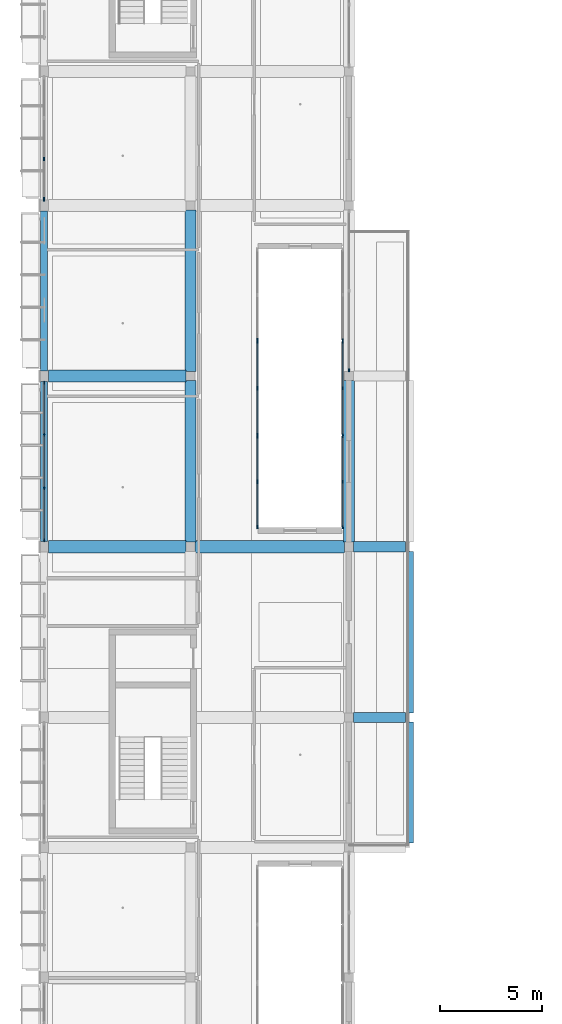
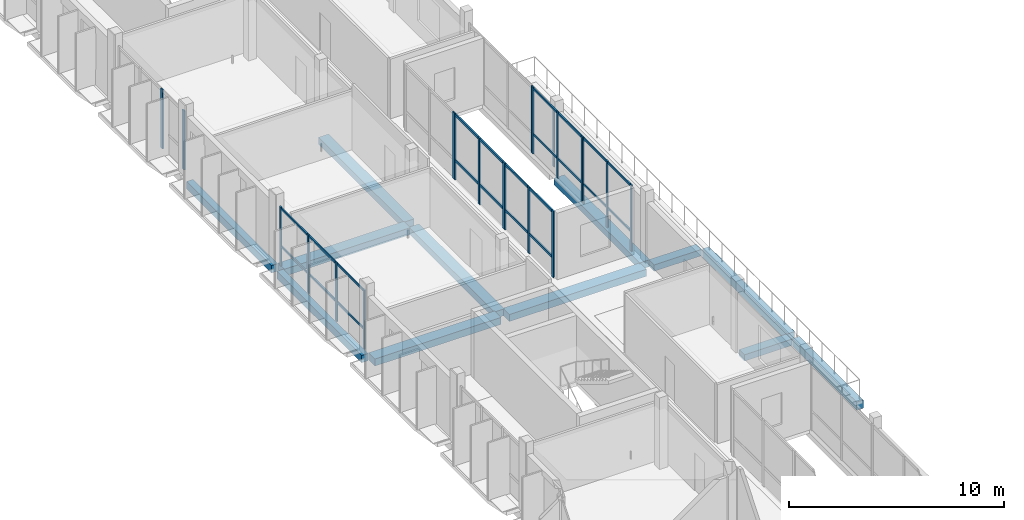
# One storey, part 5 of 48: 31 members, 12 beams, 9 elements without a shape of their own.
"""IFC4 building model written with IfcOpenShell, lengths in metres."""

from ifc_helpers import new_model, si_unit, derived_unit, direction, frame, origin, origin_2d, place, context, subcontext, project, spatial, rectangle, extrude, material, material_profile, profile_set, type_object, element, aggregate, save


model = new_model("IFC4")

# Units and contexts
model_context = context("Model", 3, precision=1e-05, world=origin(), true_north=direction((0.0, 1.0)))
body_context = subcontext(model_context, "Body", "Model", "MODEL_VIEW")
ifc_project = project(units=[si_unit("LENGTHUNIT", "METRE"), si_unit("AREAUNIT", "SQUARE_METRE"), si_unit("VOLUMEUNIT", "CUBIC_METRE"), si_unit("PLANEANGLEUNIT", "RADIAN"), si_unit("MASSUNIT", "GRAM", prefix="KILO"), derived_unit("THERMALTRANSMITTANCEUNIT", [(si_unit("POWERUNIT", "WATT"), 1), (si_unit("LENGTHUNIT", "METRE"), -2), (si_unit("THERMODYNAMICTEMPERATUREUNIT", "KELVIN"), -1)])], contexts=[model_context])

# Site, building, storey
site_placement = place(None, origin())
site = spatial("IfcSite", under=ifc_project, at=site_placement, CompositionType="ELEMENT")
building_placement = place(site_placement, origin())
building = spatial("IfcBuilding", under=site, at=building_placement, Name="Braskholm Square Health Centre", CompositionType="ELEMENT")
storey_placement = place(building_placement, frame((0.0, 0.0, 17.550048828125)))
storey = spatial("IfcBuildingStorey", under=building, at=storey_placement, Name="L05", CompositionType="ELEMENT", Elevation=17.550048828125)

# Curtain wall, members
ifc_material_1 = material(Name="Low-E triple insulating glass (VLT 0.64)", Category="glass")
curtain_wall_type_1 = type_object("IfcCurtainWallType", Name="UnitisedCurtainWall6200x3650", PredefinedType="NOTDEFINED", material=ifc_material_1)
curtain_wall_1_placement = place(storey_placement, origin())
curtain_wall_1 = element("IfcCurtainWall", 1, at=curtain_wall_1_placement, inside=storey, type_object=curtain_wall_type_1, Name="West Outer unitised curtain wall CW-L05-0034", PredefinedType="NOTDEFINED")
ifc_material_2 = material(Name="Architectural bronze anodised aluminium", Category="aluminium")
ifc_material_profile_1 = material_profile(ifc_material_2, rectangle(XDim=0.06494140625, YDim=0.14990234375, at=origin_2d()), Name="ALU-65X150")
ifc_profile_set_1 = profile_set([ifc_material_profile_1], Name="Architectural bronze anodised aluminium")
member_type_1 = type_object("IfcMemberType", Name="CurtainWallMullion65x150", PredefinedType="MULLION", material=ifc_profile_set_1)
member_1_placement = place(storey_placement, frame((4.199951171875, 71.8828125, 0.0), z_axis=(0.0, 0.0, 1.0), x_axis=(1.0, 0.0, 0.0)))
member_1 = element("IfcMember", 2, at=member_1_placement, type_object=member_type_1, Name="CW-L05-0034 vertical mullion 1", PredefinedType="MULLION", context=body_context, shape_type="SweptSolid", body=[
    extrude(rectangle(XDim=0.06494140625, YDim=0.14990234375, at=origin_2d()), origin(), (0.0, 0.0, 1.0), 3.349853515625),
])
member_2_placement = place(storey_placement, frame((4.199951171875, 69.31005859375, 0.0), z_axis=(0.0, 0.0, 1.0), x_axis=(1.0, 0.0, 0.0)))
member_2 = element("IfcMember", 3, at=member_2_placement, type_object=member_type_1, Name="CW-L05-0034 vertical mullion 2", PredefinedType="MULLION", context=body_context, shape_type="SweptSolid", body=[
    extrude(rectangle(XDim=0.06494140625, YDim=0.14990234375, at=origin_2d()), origin(), (0.0, 0.0, 1.0), 3.349853515625),
])
member_3_placement = place(storey_placement, frame((4.199951171875, 66.68994140625, 0.0), z_axis=(0.0, 0.0, 1.0), x_axis=(1.0, 0.0, 0.0)))
member_3 = element("IfcMember", 4, at=member_3_placement, type_object=member_type_1, Name="CW-L05-0034 vertical mullion 3", PredefinedType="MULLION", context=body_context, shape_type="SweptSolid", body=[
    extrude(rectangle(XDim=0.06494140625, YDim=0.14990234375, at=origin_2d()), origin(), (0.0, 0.0, 1.0), 3.349853515625),
])
member_4_placement = place(storey_placement, frame((4.199951171875, 64.1171875, 0.0), z_axis=(0.0, 0.0, 1.0), x_axis=(1.0, 0.0, 0.0)))
member_4 = element("IfcMember", 5, at=member_4_placement, type_object=member_type_1, Name="CW-L05-0034 vertical mullion 4", PredefinedType="MULLION", context=body_context, shape_type="SweptSolid", body=[
    extrude(rectangle(XDim=0.06494140625, YDim=0.14990234375, at=origin_2d()), origin(), (0.0, 0.0, 1.0), 3.349853515625),
])

# Curtain wall, member
curtain_wall_2_placement = place(storey_placement, origin())
curtain_wall_2 = element("IfcCurtainWall", 6, at=curtain_wall_2_placement, inside=storey, type_object=curtain_wall_type_1, Name="West Valley unitised curtain wall CW-L05-0106", PredefinedType="NOTDEFINED")
member_5_placement = place(storey_placement, frame((19.199951171875, 72.487548828125, 0.0), z_axis=(0.0, 0.0, 1.0), x_axis=(1.0, 0.0, 0.0)))
member_5 = element("IfcMember", 7, at=member_5_placement, type_object=member_type_1, Name="CW-L05-0106 vertical mullion 1", PredefinedType="MULLION", context=body_context, shape_type="SweptSolid", body=[
    extrude(rectangle(XDim=0.06494140625, YDim=0.14990234375, at=origin_2d()), origin(), (0.0, 0.0, 1.0), 3.389892578125),
])
aggregate(curtain_wall_2, [member_5])

# Curtain wall, members
curtain_wall_type_2 = type_object("IfcCurtainWallType", Name="UnitisedCurtainWall4800x3800", PredefinedType="NOTDEFINED", material=ifc_material_1)
curtain_wall_3_placement = place(storey_placement, origin())
curtain_wall_3 = element("IfcCurtainWall", 8, at=curtain_wall_3_placement, inside=storey, type_object=curtain_wall_type_2, Name="WC2 Court E unitised curtain wall CW-L05-0310", PredefinedType="NOTDEFINED")
member_6_placement = place(storey_placement, frame((18.89990234375, 69.23486328125, 0.0), z_axis=(0.0, 0.0, 1.0), x_axis=(1.0, 0.0, 0.0)))
member_6 = element("IfcMember", 9, at=member_6_placement, type_object=member_type_1, Name="CW-L05-0310 vertical mullion 1", PredefinedType="MULLION", context=body_context, shape_type="SweptSolid", body=[
    extrude(rectangle(XDim=0.06494140625, YDim=0.14990234375, at=origin_2d()), origin(), (0.0, 0.0, 1.0), 3.77001953125),
])
member_7_placement = place(storey_placement, frame((18.89990234375, 67.0009765625, 0.0), z_axis=(0.0, 0.0, 1.0), x_axis=(1.0, 0.0, 0.0)))
member_7 = element("IfcMember", 10, at=member_7_placement, type_object=member_type_1, Name="CW-L05-0310 vertical mullion 2", PredefinedType="MULLION", context=body_context, shape_type="SweptSolid", body=[
    extrude(rectangle(XDim=0.06494140625, YDim=0.14990234375, at=origin_2d()), origin(), (0.0, 0.0, 1.0), 3.77001953125),
])
member_8_placement = place(storey_placement, frame((18.89990234375, 64.76708984375, 0.0), z_axis=(0.0, 0.0, 1.0), x_axis=(1.0, 0.0, 0.0)))
member_8 = element("IfcMember", 11, at=member_8_placement, type_object=member_type_1, Name="CW-L05-0310 vertical mullion 3", PredefinedType="MULLION", context=body_context, shape_type="SweptSolid", body=[
    extrude(rectangle(XDim=0.06494140625, YDim=0.14990234375, at=origin_2d()), origin(), (0.0, 0.0, 1.0), 3.77001953125),
])

curtain_wall_4_placement = place(storey_placement, origin())
curtain_wall_4 = element("IfcCurtainWall", 12, at=curtain_wall_4_placement, inside=storey, type_object=curtain_wall_type_2, Name="WC2 Court E unitised curtain wall CW-L05-0312", PredefinedType="NOTDEFINED")
member_9_placement = place(storey_placement, frame((18.89990234375, 73.900146484375, 0.0), z_axis=(0.0, 0.0, 1.0), x_axis=(1.0, 0.0, 0.0)))
member_9 = element("IfcMember", 13, at=member_9_placement, type_object=member_type_1, Name="CW-L05-0312 vertical mullion 1", PredefinedType="MULLION", context=body_context, shape_type="SweptSolid", body=[
    extrude(rectangle(XDim=0.06494140625, YDim=0.14990234375, at=origin_2d()), origin(), (0.0, 0.0, 1.0), 3.77001953125),
])
member_10_placement = place(storey_placement, frame((18.89990234375, 71.60009765625, 0.0), z_axis=(0.0, 0.0, 1.0), x_axis=(1.0, 0.0, 0.0)))
member_10 = element("IfcMember", 14, at=member_10_placement, type_object=member_type_1, Name="CW-L05-0312 vertical mullion 2", PredefinedType="MULLION", context=body_context, shape_type="SweptSolid", body=[
    extrude(rectangle(XDim=0.06494140625, YDim=0.14990234375, at=origin_2d()), origin(), (0.0, 0.0, 1.0), 3.77001953125),
])
member_11_placement = place(storey_placement, frame((18.89990234375, 69.2998046875, 0.0), z_axis=(0.0, 0.0, 1.0), x_axis=(1.0, 0.0, 0.0)))
member_11 = element("IfcMember", 15, at=member_11_placement, type_object=member_type_1, Name="CW-L05-0312 vertical mullion 3", PredefinedType="MULLION", context=body_context, shape_type="SweptSolid", body=[
    extrude(rectangle(XDim=0.06494140625, YDim=0.14990234375, at=origin_2d()), origin(), (0.0, 0.0, 1.0), 3.77001953125),
])

# Curtain wall, member
curtain_wall_5_placement = place(storey_placement, origin())
curtain_wall_5 = element("IfcCurtainWall", 16, at=curtain_wall_5_placement, inside=storey, type_object=curtain_wall_type_2, Name="WC2 Court E unitised curtain wall CW-L05-0314", PredefinedType="NOTDEFINED")
member_12_placement = place(storey_placement, frame((18.89990234375, 73.965087890625, 0.0), z_axis=(0.0, 0.0, 1.0), x_axis=(1.0, 0.0, 0.0)))
member_12 = element("IfcMember", 17, at=member_12_placement, type_object=member_type_1, Name="CW-L05-0314 vertical mullion 3", PredefinedType="MULLION", context=body_context, shape_type="SweptSolid", body=[
    extrude(rectangle(XDim=0.06494140625, YDim=0.14990234375, at=origin_2d()), origin(), (0.0, 0.0, 1.0), 3.77001953125),
])
aggregate(curtain_wall_5, [member_12])

# Curtain wall, members
curtain_wall_6_placement = place(storey_placement, origin())
curtain_wall_6 = element("IfcCurtainWall", 18, at=curtain_wall_6_placement, inside=storey, type_object=curtain_wall_type_1, Name="West Outer unitised curtain wall CW-L05-0035", PredefinedType="NOTDEFINED")
ifc_material_profile_2 = material_profile(ifc_material_2, rectangle(XDim=0.074951171875, YDim=0.179931640625, at=origin_2d()), Name="ALU-75X180")
ifc_profile_set_2 = profile_set([ifc_material_profile_2], Name="Architectural bronze anodised aluminium")
member_type_2 = type_object("IfcMemberType", Name="CurtainWallMullion75x180", PredefinedType="MULLION", material=ifc_profile_set_2)
member_13_placement = place(storey_placement, frame((4.199951171875, 82.889892578125, 0.0), z_axis=(0.0, 0.0, 1.0), x_axis=(1.0, 0.0, 0.0)))
member_13 = element("IfcMember", 19, at=member_13_placement, type_object=member_type_2, Name="CW-L05-0035 vertical mullion 3", PredefinedType="MULLION", context=body_context, shape_type="SweptSolid", body=[
    extrude(rectangle(XDim=0.074951171875, YDim=0.179931640625, at=origin_2d()), origin(), (0.0, 0.0, 1.0), 3.349853515625),
])
member_14_placement = place(storey_placement, frame((4.199951171875, 80.906494140625, 0.0), z_axis=(0.0, 0.0, 1.0), x_axis=(1.0, 0.0, 0.0)))
member_14 = element("IfcMember", 20, at=member_14_placement, type_object=member_type_2, Name="CW-L05-0035 vertical mullion 4", PredefinedType="MULLION", context=body_context, shape_type="SweptSolid", body=[
    extrude(rectangle(XDim=0.074951171875, YDim=0.179931640625, at=origin_2d()), origin(), (0.0, 0.0, 1.0), 3.349853515625),
])
aggregate(curtain_wall_6, [member_13, member_14])

curtain_wall_7_placement = place(storey_placement, origin())
curtain_wall_7 = element("IfcCurtainWall", 21, at=curtain_wall_7_placement, inside=storey, type_object=curtain_wall_type_2, Name="WC2 Court W unitised curtain wall CW-L05-0309", PredefinedType="NOTDEFINED")
member_15_placement = place(storey_placement, frame((14.699951171875, 64.76708984375, 0.0), z_axis=(0.0, 0.0, 1.0), x_axis=(1.0, 0.0, 0.0)))
member_15 = element("IfcMember", 22, at=member_15_placement, type_object=member_type_2, Name="CW-L05-0309 vertical mullion 1", PredefinedType="MULLION", context=body_context, shape_type="SweptSolid", body=[
    extrude(rectangle(XDim=0.074951171875, YDim=0.179931640625, at=origin_2d()), origin(), (0.0, 0.0, 1.0), 3.77001953125),
])
member_16_placement = place(storey_placement, frame((14.699951171875, 67.0009765625, 0.0), z_axis=(0.0, 0.0, 1.0), x_axis=(1.0, 0.0, 0.0)))
member_16 = element("IfcMember", 23, at=member_16_placement, type_object=member_type_2, Name="CW-L05-0309 vertical mullion 2", PredefinedType="MULLION", context=body_context, shape_type="SweptSolid", body=[
    extrude(rectangle(XDim=0.074951171875, YDim=0.179931640625, at=origin_2d()), origin(), (0.0, 0.0, 1.0), 3.77001953125),
])
member_17_placement = place(storey_placement, frame((14.699951171875, 69.23486328125, 0.0), z_axis=(0.0, 0.0, 1.0), x_axis=(1.0, 0.0, 0.0)))
member_17 = element("IfcMember", 24, at=member_17_placement, type_object=member_type_2, Name="CW-L05-0309 vertical mullion 3", PredefinedType="MULLION", context=body_context, shape_type="SweptSolid", body=[
    extrude(rectangle(XDim=0.074951171875, YDim=0.179931640625, at=origin_2d()), origin(), (0.0, 0.0, 1.0), 3.77001953125),
])

curtain_wall_8_placement = place(storey_placement, origin())
curtain_wall_8 = element("IfcCurtainWall", 25, at=curtain_wall_8_placement, inside=storey, type_object=curtain_wall_type_2, Name="WC2 Court W unitised curtain wall CW-L05-0311", PredefinedType="NOTDEFINED")
member_18_placement = place(storey_placement, frame((14.699951171875, 69.2998046875, 0.0), z_axis=(0.0, 0.0, 1.0), x_axis=(1.0, 0.0, 0.0)))
member_18 = element("IfcMember", 26, at=member_18_placement, type_object=member_type_2, Name="CW-L05-0311 vertical mullion 1", PredefinedType="MULLION", context=body_context, shape_type="SweptSolid", body=[
    extrude(rectangle(XDim=0.074951171875, YDim=0.179931640625, at=origin_2d()), origin(), (0.0, 0.0, 1.0), 3.77001953125),
])
member_19_placement = place(storey_placement, frame((14.699951171875, 71.60009765625, 0.0), z_axis=(0.0, 0.0, 1.0), x_axis=(1.0, 0.0, 0.0)))
member_19 = element("IfcMember", 27, at=member_19_placement, type_object=member_type_2, Name="CW-L05-0311 vertical mullion 2", PredefinedType="MULLION", context=body_context, shape_type="SweptSolid", body=[
    extrude(rectangle(XDim=0.074951171875, YDim=0.179931640625, at=origin_2d()), origin(), (0.0, 0.0, 1.0), 3.77001953125),
])
member_20_placement = place(storey_placement, frame((14.699951171875, 73.900146484375, 0.0), z_axis=(0.0, 0.0, 1.0), x_axis=(1.0, 0.0, 0.0)))
member_20 = element("IfcMember", 28, at=member_20_placement, type_object=member_type_2, Name="CW-L05-0311 vertical mullion 3", PredefinedType="MULLION", context=body_context, shape_type="SweptSolid", body=[
    extrude(rectangle(XDim=0.074951171875, YDim=0.179931640625, at=origin_2d()), origin(), (0.0, 0.0, 1.0), 3.77001953125),
])

# Curtain wall, member
curtain_wall_9_placement = place(storey_placement, origin())
curtain_wall_9 = element("IfcCurtainWall", 29, at=curtain_wall_9_placement, inside=storey, type_object=curtain_wall_type_2, Name="WC2 Court W unitised curtain wall CW-L05-0313", PredefinedType="NOTDEFINED")
member_21_placement = place(storey_placement, frame((14.699951171875, 73.965087890625, 0.0), z_axis=(0.0, 0.0, 1.0), x_axis=(1.0, 0.0, 0.0)))
member_21 = element("IfcMember", 30, at=member_21_placement, type_object=member_type_2, Name="CW-L05-0313 vertical mullion 1", PredefinedType="MULLION", context=body_context, shape_type="SweptSolid", body=[
    extrude(rectangle(XDim=0.074951171875, YDim=0.179931640625, at=origin_2d()), origin(), (0.0, 0.0, 1.0), 3.77001953125),
])
aggregate(curtain_wall_9, [member_21])

# Member
ifc_material_profile_3 = material_profile(ifc_material_2, rectangle(XDim=0.06494140625, YDim=0.1201171875, at=origin_2d()), Name="ALU-65X120")
ifc_profile_set_3 = profile_set([ifc_material_profile_3], Name="Architectural bronze anodised aluminium")
member_type_3 = type_object("IfcMemberType", Name="CurtainWallTransom65x120", PredefinedType="USERDEFINED", material=ifc_profile_set_3)
member_22_placement = place(storey_placement, frame((4.199951171875, 71.885009765625, 1.119873046875), z_axis=(0.0, -1.0, 0.0), x_axis=(1.0, 0.0, 0.0)))
member_22 = element("IfcMember", 31, at=member_22_placement, type_object=member_type_3, Name="CW-L05-0034 horizontal transom 1", ObjectType="TRANSOM", PredefinedType="USERDEFINED", context=body_context, shape_type="SweptSolid", body=[
    extrude(rectangle(XDim=0.06494140625, YDim=0.1201171875, at=origin_2d()), origin(), (0.0, 0.0, 1.0), 7.77001953125),
])

member_23_placement = place(storey_placement, frame((4.199951171875, 71.885009765625, 3.280029296875), z_axis=(0.0, -1.0, 0.0), x_axis=(1.0, 0.0, 0.0)))
member_23 = element("IfcMember", 32, at=member_23_placement, type_object=member_type_3, Name="CW-L05-0034 horizontal transom 2", ObjectType="TRANSOM", PredefinedType="USERDEFINED", context=body_context, shape_type="SweptSolid", body=[
    extrude(rectangle(XDim=0.06494140625, YDim=0.1201171875, at=origin_2d()), origin(), (0.0, 0.0, 1.0), 7.77001953125),
])

aggregate(curtain_wall_1, [member_1, member_2, member_3, member_4, member_22, member_23])

member_24_placement = place(storey_placement, frame((18.89990234375, 69.217041015625, 1.119873046875), z_axis=(0.0, -1.0, 0.0), x_axis=(1.0, 0.0, 0.0)))
member_24 = element("IfcMember", 33, at=member_24_placement, type_object=member_type_3, Name="CW-L05-0310 horizontal transom 1", ObjectType="TRANSOM", PredefinedType="USERDEFINED", context=body_context, shape_type="SweptSolid", body=[
    extrude(rectangle(XDim=0.06494140625, YDim=0.1201171875, at=origin_2d()), origin(), (0.0, 0.0, 1.0), 4.43212890625),
])

member_25_placement = place(storey_placement, frame((18.89990234375, 69.217041015625, 3.699951171875), z_axis=(0.0, -1.0, 0.0), x_axis=(1.0, 0.0, 0.0)))
member_25 = element("IfcMember", 34, at=member_25_placement, type_object=member_type_3, Name="CW-L05-0310 horizontal transom 2", ObjectType="TRANSOM", PredefinedType="USERDEFINED", context=body_context, shape_type="SweptSolid", body=[
    extrude(rectangle(XDim=0.06494140625, YDim=0.1201171875, at=origin_2d()), origin(), (0.0, 0.0, 1.0), 4.43212890625),
])

aggregate(curtain_wall_3, [member_6, member_7, member_8, member_24, member_25])

member_26_placement = place(storey_placement, frame((18.89990234375, 73.883056640625, 1.119873046875), z_axis=(0.0, -1.0, 0.0), x_axis=(1.0, 0.0, 0.0)))
member_26 = element("IfcMember", 35, at=member_26_placement, type_object=member_type_3, Name="CW-L05-0312 horizontal transom 1", ObjectType="TRANSOM", PredefinedType="USERDEFINED", context=body_context, shape_type="SweptSolid", body=[
    extrude(rectangle(XDim=0.06494140625, YDim=0.1201171875, at=origin_2d()), origin(), (0.0, 0.0, 1.0), 4.566162109375),
])

member_27_placement = place(storey_placement, frame((18.89990234375, 73.883056640625, 3.699951171875), z_axis=(0.0, -1.0, 0.0), x_axis=(1.0, 0.0, 0.0)))
member_27 = element("IfcMember", 36, at=member_27_placement, type_object=member_type_3, Name="CW-L05-0312 horizontal transom 2", ObjectType="TRANSOM", PredefinedType="USERDEFINED", context=body_context, shape_type="SweptSolid", body=[
    extrude(rectangle(XDim=0.06494140625, YDim=0.1201171875, at=origin_2d()), origin(), (0.0, 0.0, 1.0), 4.566162109375),
])

aggregate(curtain_wall_4, [member_9, member_10, member_11, member_26, member_27])

ifc_material_profile_4 = material_profile(ifc_material_2, rectangle(XDim=0.074951171875, YDim=0.139892578125, at=origin_2d()), Name="ALU-75X140")
ifc_profile_set_4 = profile_set([ifc_material_profile_4], Name="Architectural bronze anodised aluminium")
member_type_4 = type_object("IfcMemberType", Name="CurtainWallTransom75x140", PredefinedType="USERDEFINED", material=ifc_profile_set_4)
member_28_placement = place(storey_placement, frame((14.699951171875, 64.784912109375, 1.119873046875), z_axis=(0.0, 1.0, 0.0), x_axis=(-1.0, 0.0, 0.0)))
member_28 = element("IfcMember", 37, at=member_28_placement, type_object=member_type_4, Name="CW-L05-0309 horizontal transom 1", ObjectType="TRANSOM", PredefinedType="USERDEFINED", context=body_context, shape_type="SweptSolid", body=[
    extrude(rectangle(XDim=0.074951171875, YDim=0.139892578125, at=origin_2d()), origin(), (0.0, 0.0, 1.0), 4.43212890625),
])

member_29_placement = place(storey_placement, frame((14.699951171875, 64.784912109375, 3.699951171875), z_axis=(0.0, 1.0, 0.0), x_axis=(-1.0, 0.0, 0.0)))
member_29 = element("IfcMember", 38, at=member_29_placement, type_object=member_type_4, Name="CW-L05-0309 horizontal transom 2", ObjectType="TRANSOM", PredefinedType="USERDEFINED", context=body_context, shape_type="SweptSolid", body=[
    extrude(rectangle(XDim=0.074951171875, YDim=0.139892578125, at=origin_2d()), origin(), (0.0, 0.0, 1.0), 4.43212890625),
])

aggregate(curtain_wall_7, [member_15, member_16, member_17, member_28, member_29])

member_30_placement = place(storey_placement, frame((14.699951171875, 69.31689453125, 1.119873046875), z_axis=(0.0, 1.0, 0.0), x_axis=(-1.0, 0.0, 0.0)))
member_30 = element("IfcMember", 39, at=member_30_placement, type_object=member_type_4, Name="CW-L05-0311 horizontal transom 1", ObjectType="TRANSOM", PredefinedType="USERDEFINED", context=body_context, shape_type="SweptSolid", body=[
    extrude(rectangle(XDim=0.074951171875, YDim=0.139892578125, at=origin_2d()), origin(), (0.0, 0.0, 1.0), 4.566162109375),
])

member_31_placement = place(storey_placement, frame((14.699951171875, 69.31689453125, 3.699951171875), z_axis=(0.0, 1.0, 0.0), x_axis=(-1.0, 0.0, 0.0)))
member_31 = element("IfcMember", 40, at=member_31_placement, type_object=member_type_4, Name="CW-L05-0311 horizontal transom 2", ObjectType="TRANSOM", PredefinedType="USERDEFINED", context=body_context, shape_type="SweptSolid", body=[
    extrude(rectangle(XDim=0.074951171875, YDim=0.139892578125, at=origin_2d()), origin(), (0.0, 0.0, 1.0), 4.566162109375),
])

aggregate(curtain_wall_8, [member_18, member_19, member_20, member_30, member_31])

# Beams
ifc_material_3 = material(Name="Concrete C35/45 (f'c = 35 MPa)", Category="concrete")
ifc_material_profile_5 = material_profile(ifc_material_3, rectangle(XDim=0.5, YDim=0.360107421875, at=origin_2d()), Name="RCB-500X360")
ifc_profile_set_5 = profile_set([ifc_material_profile_5], Name="Concrete C35/45 (f'c = 35 MPa)")
beam_type_1 = type_object("IfcBeamType", Name="PrimaryBandBeam500x360", PredefinedType="BEAM", material=ifc_profile_set_5)
for number, where, z_axis, x_axis, name in (
    (41, (19.425048828125, 55.39990234375, -0.429931640625), (1.0, 0.0, 0.0), (0.0, 1.0, 0.0), "Beam 3-4/J L05"),
    (42, (19.425048828125, 63.800048828125, -0.429931640625), (1.0, 0.0, 0.0), (0.0, 1.0, 0.0), "Beam 3-4/K L05"),
):
    element("IfcBeam", number, at=place(storey_placement, frame(where, z_axis=z_axis, x_axis=x_axis)), inside=storey, type_object=beam_type_1, Name=name, PredefinedType="BEAM", context=body_context, shape_type="SweptSolid", body=[
        extrude(rectangle(XDim=0.5, YDim=0.360107421875, at=origin_2d()), origin(), (0.0, 0.0, 1.0), 2.550048828125),
    ])
ifc_material_profile_6 = material_profile(ifc_material_3, rectangle(XDim=0.550048828125, YDim=0.3798828125, at=origin_2d()), Name="RCB-550X380")
ifc_profile_set_6 = profile_set([ifc_material_profile_6], Name="Concrete C35/45 (f'c = 35 MPa)")
beam_type_2 = type_object("IfcBeamType", Name="PrimaryBandBeam550x380", PredefinedType="BEAM", material=ifc_profile_set_6)
beam_1_placement = place(storey_placement, frame((11.39990234375, 64.02490234375, -0.489990234375), z_axis=(0.0, 1.0, 0.0), x_axis=(-1.0, 0.0, 0.0)))
element("IfcBeam", 43, at=beam_1_placement, inside=storey, type_object=beam_type_2, Name="Beam 2/K-L L05", PredefinedType="BEAM", context=body_context, shape_type="SweptSolid", body=[
    extrude(rectangle(XDim=0.550048828125, YDim=0.3798828125, at=origin_2d()), origin(), (0.0, 0.0, 1.0), 7.9501953125),
])
beam_2_placement = place(storey_placement, frame((11.39990234375, 72.425048828125, -0.489990234375), z_axis=(0.0, 1.0, 0.0), x_axis=(-1.0, 0.0, 0.0)))
element("IfcBeam", 44, at=beam_2_placement, inside=storey, type_object=beam_type_2, Name="Beam 2/L-M L05", PredefinedType="BEAM", context=body_context, shape_type="SweptSolid", body=[
    extrude(rectangle(XDim=0.550048828125, YDim=0.3798828125, at=origin_2d()), origin(), (0.0, 0.0, 1.0), 7.949951171875),
])
beam_3_placement = place(storey_placement, frame((19.199951171875, 64.02490234375, -0.43994140625), z_axis=(0.0, 1.0, 0.0), x_axis=(-1.0, 0.0, 0.0)))
element("IfcBeam", 45, at=beam_3_placement, inside=storey, type_object=beam_type_2, Name="Beam 3/K-L L05", PredefinedType="BEAM", context=body_context, shape_type="SweptSolid", body=[
    extrude(rectangle(XDim=0.550048828125, YDim=0.3798828125, at=origin_2d()), origin(), (0.0, 0.0, 1.0), 7.9501953125),
])
ifc_material_profile_7 = material_profile(ifc_material_3, rectangle(XDim=0.60009765625, YDim=0.39990234375, at=origin_2d()), Name="RCB-600X400")
ifc_profile_set_7 = profile_set([ifc_material_profile_7], Name="Concrete C35/45 (f'c = 35 MPa)")
beam_type_3 = type_object("IfcBeamType", Name="PrimaryBandBeam600x400", PredefinedType="BEAM", material=ifc_profile_set_7)
beam_4_placement = place(storey_placement, frame((4.409912109375, 63.800048828125, -0.5), z_axis=(1.0, 0.0, 0.0), x_axis=(0.0, 1.0, 0.0)))
element("IfcBeam", 46, at=beam_4_placement, inside=storey, type_object=beam_type_3, Name="Beam 1-2/K L05", PredefinedType="BEAM", context=body_context, shape_type="SweptSolid", body=[
    extrude(rectangle(XDim=0.60009765625, YDim=0.39990234375, at=origin_2d()), origin(), (0.0, 0.0, 1.0), 6.76513671875),
])
beam_5_placement = place(storey_placement, frame((11.625, 63.800048828125, -0.5), z_axis=(1.0, 0.0, 0.0), x_axis=(0.0, 1.0, 0.0)))
element("IfcBeam", 47, at=beam_5_placement, inside=storey, type_object=beam_type_3, Name="Beam 2-3/K L05", PredefinedType="BEAM", context=body_context, shape_type="SweptSolid", body=[
    extrude(rectangle(XDim=0.60009765625, YDim=0.39990234375, at=origin_2d()), origin(), (0.0, 0.0, 1.0), 7.35009765625),
])
beam_6_placement = place(storey_placement, frame((4.409912109375, 72.199951171875, -0.5), z_axis=(1.0, 0.0, 0.0), x_axis=(0.0, 1.0, 0.0)))
element("IfcBeam", 48, at=beam_6_placement, inside=storey, type_object=beam_type_3, Name="Beam 1-2/L L05", PredefinedType="BEAM", context=body_context, shape_type="SweptSolid", body=[
    extrude(rectangle(XDim=0.60009765625, YDim=0.39990234375, at=origin_2d()), origin(), (0.0, 0.0, 1.0), 6.76513671875),
])
ifc_material_4 = material(Name="Precast concrete C40/50 architectural white", Category="concrete")
ifc_material_profile_8 = material_profile(ifc_material_4, rectangle(XDim=0.340087890625, YDim=0.419921875, at=origin_2d()), Name="RCB-340X420")
ifc_profile_set_8 = profile_set([ifc_material_profile_8], Name="Precast concrete C40/50 architectural white")
beam_type_4 = type_object("IfcBeamType", Name="SpandrelCrownEdge340x420", PredefinedType="SPANDREL", material=ifc_profile_set_8)
beam_7_placement = place(storey_placement, frame((4.199951171875, 64.06005859375, -0.510009765625), z_axis=(0.0, 1.0, 0.0), x_axis=(-1.0, 0.0, 0.0)))
element("IfcBeam", 49, at=beam_7_placement, inside=storey, type_object=beam_type_4, Name="Beam 1/K-L L05", PredefinedType="SPANDREL", context=body_context, shape_type="SweptSolid", body=[
    extrude(rectangle(XDim=0.340087890625, YDim=0.419921875, at=origin_2d()), origin(), (0.0, 0.0, 1.0), 7.8798828125),
])
beam_8_placement = place(storey_placement, frame((4.199951171875, 72.4599609375, -0.510009765625), z_axis=(0.0, 1.0, 0.0), x_axis=(-1.0, 0.0, 0.0)))
element("IfcBeam", 50, at=beam_8_placement, inside=storey, type_object=beam_type_4, Name="Beam 1/L-M L05", PredefinedType="SPANDREL", context=body_context, shape_type="SweptSolid", body=[
    extrude(rectangle(XDim=0.340087890625, YDim=0.419921875, at=origin_2d()), origin(), (0.0, 0.0, 1.0), 7.880126953125),
])
ifc_material_profile_9 = material_profile(ifc_material_4, rectangle(XDim=0.360107421875, YDim=0.4599609375, at=origin_2d()), Name="RCB-360X460")
ifc_profile_set_9 = profile_set([ifc_material_profile_9], Name="Precast concrete C40/50 architectural white")
beam_type_5 = type_object("IfcBeamType", Name="SpandrelTerraceEdge360x460", PredefinedType="SPANDREL", material=ifc_profile_set_9)
beam_9_placement = place(storey_placement, frame((22.199951171875, 49.22509765625, -0.47998046875), z_axis=(0.0, 1.0, 0.0), x_axis=(-1.0, 0.0, 0.0)))
element("IfcBeam", 51, at=beam_9_placement, inside=storey, type_object=beam_type_5, Name="Beam 4/H-J L05", PredefinedType="SPANDREL", context=body_context, shape_type="SweptSolid", body=[
    extrude(rectangle(XDim=0.360107421875, YDim=0.4599609375, at=origin_2d()), origin(), (0.0, 0.0, 1.0), 5.949951171875),
])
beam_10_placement = place(storey_placement, frame((22.199951171875, 55.625, -0.47998046875), z_axis=(0.0, 1.0, 0.0), x_axis=(-1.0, 0.0, 0.0)))
element("IfcBeam", 52, at=beam_10_placement, inside=storey, type_object=beam_type_5, Name="Beam 4/J-K L05", PredefinedType="SPANDREL", context=body_context, shape_type="SweptSolid", body=[
    extrude(rectangle(XDim=0.360107421875, YDim=0.4599609375, at=origin_2d()), origin(), (0.0, 0.0, 1.0), 7.949951171875),
])

save(model, "model.ifc")
